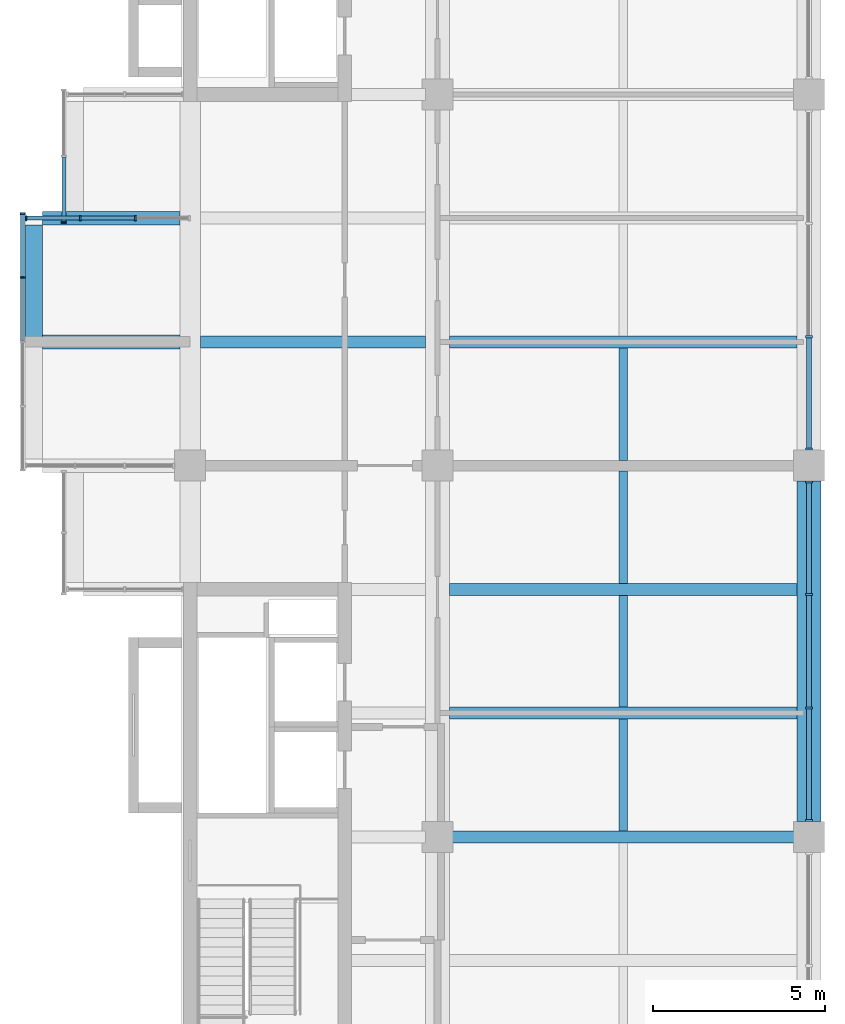
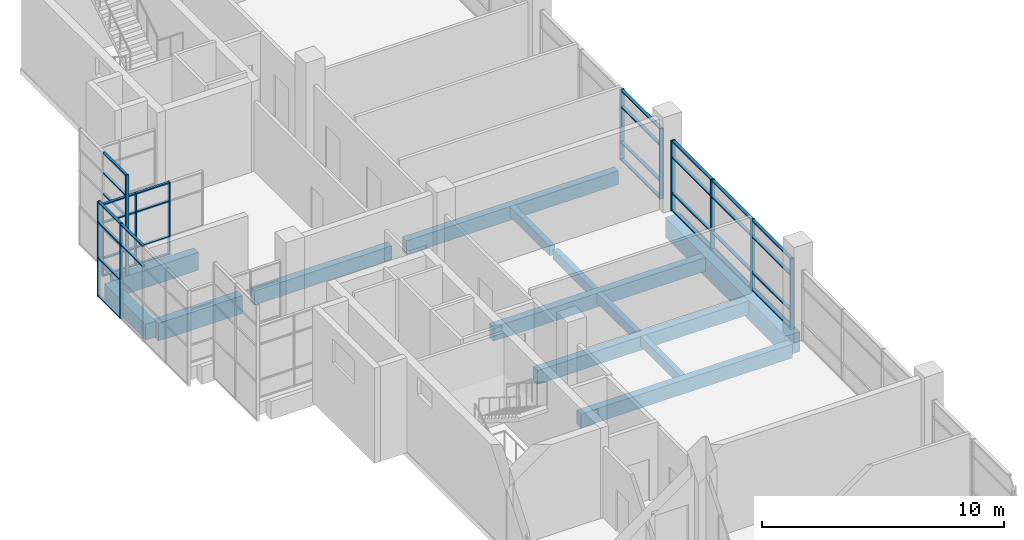
# One storey, part 6 of 15: 47 members, 13 beams, 5 elements without a shape of their own.
"""IFC4 building model written with IfcOpenShell, lengths in metres."""

import ifcopenshell
import ifcopenshell.guid

model = None  # the IFC model being written
_history = None  # IfcOwnerHistory: only IFC2X3 demands one
_inside = {}  # id of a spatial element -> (the spatial element, [elements in it])
_under = {}  # id of a project, library or spatial element -> (it, [spatial elements below it])
_declared = {}  # id of a project -> (the project, [libraries it declares])
_typed = {}  # id of a type object -> (the type object, [elements of that type])
_made_of = {}  # id of a material, layer set ... -> (it, [elements and type objects made of it])


def new_model(schema):
    """Start an empty IFC model of exactly this schema.

    Asked for "IFC4X3", IfcOpenShell would pick the latest addendum, in which some entities
    have other attributes; the version numbers below select the first issue.
    IFC2X3 requires an IfcOwnerHistory on every rooted entity: one is made here for all.
    """
    global model, _history
    if schema == "IFC4X3":
        model = ifcopenshell.file(schema_version=(4, 3, 0, 0))
    else:
        model = ifcopenshell.file(schema=schema)
    _inside.clear()
    _under.clear()
    _declared.clear()
    _typed.clear()
    _made_of.clear()
    _history = None
    if model.schema == "IFC2X3":
        org = make("IfcOrganization", Name="unknown")
        user = make(
            "IfcPersonAndOrganization",
            ThePerson=make("IfcPerson", FamilyName="unknown"),
            TheOrganization=org,
        )
        app = make(
            "IfcApplication",
            ApplicationDeveloper=org,
            Version="unknown",
            ApplicationFullName="unknown",
            ApplicationIdentifier="unknown",
        )
        _history = make(
            "IfcOwnerHistory",
            OwningUser=user,
            OwningApplication=app,
            ChangeAction="ADDED",
            CreationDate=0,
        )
    return model


def make(cls, **values):
    """One entity of the class cls with the attributes given. An attribute that is None is left unset."""
    return model.create_entity(
        cls, **{name: value for name, value in values.items() if value is not None}
    )


def rooted(cls, **values):
    """An entity with a GlobalId (a new one), such as an element, a storey or a relation."""
    return make(cls, GlobalId=ifcopenshell.guid.new(), OwnerHistory=_history, **values)


def si_unit(unit_type, name, prefix=None):
    """IfcSIUnit, for example si_unit("LENGTHUNIT", "METRE", prefix="MILLI")."""
    return make("IfcSIUnit", UnitType=unit_type, Prefix=prefix, Name=name)


def assignment(units):
    """IfcUnitAssignment: the units of a project."""
    return None if units is None else make("IfcUnitAssignment", Units=units)


def point(xyz):
    """IfcCartesianPoint."""
    return None if xyz is None else make("IfcCartesianPoint", Coordinates=xyz)


def direction(xyz):
    """IfcDirection."""
    return None if xyz is None else make("IfcDirection", DirectionRatios=xyz)


def frame(location, z_axis=None, x_axis=None):
    """IfcAxis2Placement3D, a coordinate frame: its origin and axes. An axis left out is left unset."""
    return make(
        "IfcAxis2Placement3D",
        Location=point(location),
        Axis=direction(z_axis),
        RefDirection=direction(x_axis),
    )


def frame_2d(location, x_axis=None):
    """IfcAxis2Placement2D, a coordinate frame in the plane: its origin and x axis."""
    return make(
        "IfcAxis2Placement2D", Location=point(location), RefDirection=direction(x_axis)
    )


def origin():
    """The frame at (0, 0, 0) with its axes left unset."""
    return frame((0.0, 0.0, 0.0))


def origin_2d():
    """The frame at (0, 0) in the plane with its x axis left unset."""
    return frame_2d((0.0, 0.0))


def place(relative_to, where):
    """IfcLocalPlacement: puts the frame where relative to a parent placement (None: the world)."""
    return make(
        "IfcLocalPlacement", PlacementRelTo=relative_to, RelativePlacement=where
    )


def context(
    kind, dimensions, precision=None, world=None, true_north=None, identifier=None
):
    """IfcGeometricRepresentationContext, for example the 3D "Model" context."""
    return make(
        "IfcGeometricRepresentationContext",
        ContextIdentifier=identifier,
        ContextType=kind,
        CoordinateSpaceDimension=dimensions,
        Precision=precision,
        WorldCoordinateSystem=world,
        TrueNorth=true_north,
    )


def subcontext(parent, identifier, kind, view, scale=None):
    """IfcGeometricRepresentationSubContext, for example "Body" below "Model"."""
    return make(
        "IfcGeometricRepresentationSubContext",
        ContextIdentifier=identifier,
        ContextType=kind,
        ParentContext=parent,
        TargetScale=scale,
        TargetView=view,
    )


def project(units=None, contexts=None):
    """IfcProject with its units and contexts."""
    return rooted(
        "IfcProject",
        Name="project",
        RepresentationContexts=contexts,
        UnitsInContext=assignment(units),
    )


def spatial(cls, under=None, at=None, **own):
    """A site, building, storey or space (cls), placed at a placement, below another one or the project."""
    s = rooted(cls, ObjectPlacement=at, **own)
    if under is not None:
        _under.setdefault(under.id(), (under, []))[1].append(s)
    return s


def profile(cls, at=None, kind="AREA", **sizes):
    """A parametric profile (cls). Its sizes go by their IFC names, for example OverallWidth=200.0."""
    return make(cls, ProfileType=kind, Position=at, **sizes)


def rectangle(**sizes):
    """IfcRectangleProfileDef."""
    return profile("IfcRectangleProfileDef", **sizes)


def extrude(swept, where, along, depth):
    """IfcExtrudedAreaSolid: the profile swept, set in the frame where, extruded along a direction by depth."""
    return make(
        "IfcExtrudedAreaSolid",
        SweptArea=swept,
        Position=where,
        ExtrudedDirection=direction(along),
        Depth=depth,
    )


def shape(context_of_items, identifier, shape_type, items):
    """IfcShapeRepresentation: the items that make up one representation, for example the "Body"."""
    return make(
        "IfcShapeRepresentation",
        ContextOfItems=context_of_items,
        RepresentationIdentifier=identifier,
        RepresentationType=shape_type,
        Items=items,
    )


def material(Name=None, Category=None):
    """IfcMaterial."""
    return make("IfcMaterial", Name=Name, Category=Category)


def layer(
    of_material, thickness, ventilated=None, Name=None, Category=None, Priority=None
):
    """IfcMaterialLayer: one layer of a wall or slab, of a material (None: an air gap)."""
    return make(
        "IfcMaterialLayer",
        Material=of_material,
        LayerThickness=thickness,
        IsVentilated=ventilated,
        Name=Name,
        Category=Category,
        Priority=Priority,
    )


def layer_set(layers, Name=None):
    """IfcMaterialLayerSet."""
    return make("IfcMaterialLayerSet", MaterialLayers=layers, LayerSetName=Name)


def material_profile(
    of_material, cross_section, Name=None, Category=None, Priority=None
):
    """IfcMaterialProfile: a cross section and its material."""
    return make(
        "IfcMaterialProfile",
        Name=Name,
        Material=of_material,
        Profile=cross_section,
        Priority=Priority,
        Category=Category,
    )


def profile_set(profiles, Name=None, composite=None):
    """IfcMaterialProfileSet."""
    return make(
        "IfcMaterialProfileSet",
        Name=Name,
        MaterialProfiles=profiles,
        CompositeProfile=composite,
    )


def made_of(thing, what):
    """Note that an element or type object is made of a material, layer set ...; save() writes the relation."""
    if what is not None:
        _made_of.setdefault(what.id(), (what, []))[1].append(thing)
    return thing


def type_object(cls, material=None, **own):
    """A type object (cls), such as IfcWallType, which elements share."""
    return made_of(rooted(cls, **own), material)


def element(
    cls,
    number,
    at=None,
    inside=None,
    cuts=None,
    type_object=None,
    material=None,
    context=None,
    identifier="Body",
    shape_type=None,
    held_by="IfcProductDefinitionShape",
    body=None,
    shapes=None,
    **own,
):
    """One element of the class cls, such as IfcWall. Its Tag is "e" and its number.

    at: its placement. inside: the storey or other place that contains it. cuts: it is an
    opening in that element (IfcRelVoidsElement). A single representation is given by context,
    identifier, shape_type and body (its items); several are given by shapes. held_by: the class
    of the entity that holds the representations. save() writes the other relations.
    """
    e = rooted(cls, Tag="e%d" % number, ObjectPlacement=at, **own)
    if body is not None:
        shapes = [shape(context, identifier, shape_type, body)]
    if shapes is not None:
        e.Representation = make(held_by, Representations=shapes)
    if inside is not None:
        _inside.setdefault(inside.id(), (inside, []))[1].append(e)
    if cuts is not None:
        rooted(
            "IfcRelVoidsElement", RelatingBuildingElement=cuts, RelatedOpeningElement=e
        )
    if type_object is not None:
        _typed.setdefault(type_object.id(), (type_object, []))[1].append(e)
    return made_of(e, material)


def aggregate(whole, parts):
    """IfcRelAggregates: a whole, such as a stair, and the parts it consists of."""
    return rooted("IfcRelAggregates", RelatingObject=whole, RelatedObjects=parts)


def save(model, path):
    """Write the relations noted so far, then the file.

    IfcRelAggregates (storeys below a building ...), IfcRelContainedInSpatialStructure (elements
    in a storey), IfcRelDefinesByType, IfcRelAssociatesMaterial and IfcRelDeclares: one each for
    every whole, place, type object, material and project.
    """
    for whole, parts in _under.values():
        aggregate(whole, parts)
    for where, things in _inside.values():
        rooted(
            "IfcRelContainedInSpatialStructure",
            RelatedElements=things,
            RelatingStructure=where,
        )
    for kind, things in _typed.values():
        rooted("IfcRelDefinesByType", RelatedObjects=things, RelatingType=kind)
    for what, things in _made_of.values():
        rooted("IfcRelAssociatesMaterial", RelatedObjects=things, RelatingMaterial=what)
    for by, libraries in _declared.values():
        rooted("IfcRelDeclares", RelatingContext=by, RelatedDefinitions=libraries)
    model.write(path)


model = new_model("IFC4")

# Units and contexts
model_context = context("Model", 3, precision=1e-05, world=origin(), true_north=direction((0.0, 1.0)))
body_context = subcontext(model_context, "Body", "Model", "MODEL_VIEW")
ifc_project = project(units=[si_unit("LENGTHUNIT", "METRE"), si_unit("AREAUNIT", "SQUARE_METRE"), si_unit("VOLUMEUNIT", "CUBIC_METRE"), si_unit("PLANEANGLEUNIT", "RADIAN"), si_unit("MASSUNIT", "GRAM", prefix="KILO")], contexts=[model_context])

# Site, building, storey
site_placement = place(None, origin())
site = spatial("IfcSite", under=ifc_project, at=site_placement, CompositionType="ELEMENT")
building_placement = place(site_placement, origin())
building = spatial("IfcBuilding", under=site, at=building_placement, Name="Basin Gate Institute", CompositionType="ELEMENT")
storey_placement = place(building_placement, frame((0.0, 0.0, 55.800048828125)))
storey = spatial("IfcBuildingStorey", under=building, at=storey_placement, Name="L11", CompositionType="ELEMENT", Elevation=55.800048828125)

# Beams
ifc_material_1 = material(Name="Concrete 40 MPa", Category="concrete")
ifc_material_profile_1 = material_profile(ifc_material_1, rectangle(XDim=0.35009765625, YDim=0.699951171875, at=origin_2d()), Name="Beam B1 350 x 700")
ifc_profile_set_1 = profile_set([ifc_material_profile_1], Name="Concrete 40 MPa")
beam_type_1 = type_object("IfcBeamType", Name="Beam B1 R120", PredefinedType="BEAM", material=ifc_profile_set_1)
for number, where, z_axis, x_axis, name in (
    (1, (68.75, 67.5, -0.60009765625), (1.0, 0.0, 0.0), (0.0, 1.0, 0.0), "BEAM/L11/W/EW/10"),
    (2, (68.75, 71.10009765625, -0.60009765625), (1.0, 0.0, 0.0), (0.0, 1.0, 0.0), "BEAM/L11/W/EW/11"),
    (3, (68.75, 74.699951171875, -0.60009765625), (1.0, 0.0, 0.0), (0.0, 1.0, 0.0), "BEAM/L11/W/EW/12"),
    (4, (68.75, 81.89990234375, -0.60009765625), (1.0, 0.0, 0.0), (0.0, 1.0, 0.0), "BEAM/L11/W/EW/14"),
):
    element("IfcBeam", number, at=place(storey_placement, frame(where, z_axis=z_axis, x_axis=x_axis)), inside=storey, type_object=beam_type_1, material=ifc_profile_set_1, Name=name, PredefinedType="BEAM", context=body_context, shape_type="SweptSolid", body=[
        extrude(rectangle(XDim=0.35009765625, YDim=0.699951171875, at=origin_2d()), origin(), (0.0, 0.0, 1.0), 10.10009765625),
    ])
beam_1_placement = place(storey_placement, frame((61.5, 81.89990234375, -0.60009765625), z_axis=(1.0, 0.0, 0.0), x_axis=(0.0, 1.0, 0.0)))
element("IfcBeam", 5, at=beam_1_placement, inside=storey, type_object=beam_type_1, material=ifc_profile_set_1, Name="BEAM/L11/W/OUT/14", PredefinedType="BEAM", context=body_context, shape_type="SweptSolid", body=[
    extrude(rectangle(XDim=0.35009765625, YDim=0.699951171875, at=origin_2d()), origin(), (0.0, 0.0, 1.0), 6.550048828125),
])
ifc_material_2 = material(Name="Concrete 50 MPa", Category="concrete")
ifc_material_profile_2 = material_profile(ifc_material_2, rectangle(XDim=0.39990234375, YDim=0.89990234375, at=origin_2d()), Name="Cantilever beam B3 400 x 900")
ifc_profile_set_2 = profile_set([ifc_material_profile_2], Name="Concrete 50 MPa")
beam_type_2 = type_object("IfcBeamType", Name="Cantilever beam B3 R120", PredefinedType="BEAM", material=ifc_profile_set_2)
for number, where, z_axis, x_axis, name in (
    (6, (56.89990234375, 81.89990234375, -0.699951171875), (1.0, 0.0, 0.0), (0.0, 1.0, 0.0), "BEAM/L11/W/CANT/14"),
    (7, (56.89990234375, 85.5, -0.699951171875), (1.0, 0.0, 0.0), (0.0, 1.0, 0.0), "BEAM/L11/W/CANT/15"),
):
    element("IfcBeam", number, at=place(storey_placement, frame(where, z_axis=z_axis, x_axis=x_axis)), inside=storey, type_object=beam_type_2, material=ifc_profile_set_2, Name=name, PredefinedType="BEAM", context=body_context, shape_type="SweptSolid", body=[
        extrude(rectangle(XDim=0.39990234375, YDim=0.89990234375, at=origin_2d()), origin(), (0.0, 0.0, 1.0), 4.0),
    ])
ifc_material_3 = material(Name="Concrete 50 MPa", Category="concrete")
ifc_material_profile_3 = material_profile(ifc_material_3, rectangle(XDim=0.699951171875, YDim=1.0, at=origin_2d()), Name="Girder G1 700 x 1000")
ifc_profile_set_3 = profile_set([ifc_material_profile_3], Name="Concrete 50 MPa")
beam_type_3 = type_object("IfcBeamType", Name="Girder G1 R120", PredefinedType="BEAM", material=ifc_profile_set_3)
beam_2_placement = place(storey_placement, frame((79.199951171875, 67.949951171875, -0.75), z_axis=(0.0, 1.0, 0.0), x_axis=(-1.0, 0.0, 0.0)))
element("IfcBeam", 8, at=beam_2_placement, inside=storey, type_object=beam_type_3, material=ifc_profile_set_3, Name="GIR/L11/W6/4", PredefinedType="BEAM", context=body_context, shape_type="SweptSolid", body=[
    extrude(rectangle(XDim=0.699951171875, YDim=1.0, at=origin_2d()), origin(), (0.0, 0.0, 1.0), 9.900146484375),
])

# Curtain wall, members
ifc_material_4 = material(Name="Aluminium-framed glazing", Category="aluminium")
ifc_layer_1 = layer(ifc_material_4, 0.14990234375)
ifc_layer_set_1 = layer_set([ifc_layer_1], Name="Capsule front curtain wall CW1")
curtain_wall_type_1 = type_object("IfcCurtainWallType", Name="Capsule front curtain wall CW1", PredefinedType="NOTDEFINED", material=ifc_layer_set_1)
curtain_wall_1_placement = place(storey_placement, origin())
curtain_wall_1 = element("IfcCurtainWall", 9, at=curtain_wall_1_placement, inside=storey, type_object=curtain_wall_type_1, material=ifc_layer_set_1, Name="Capsule front curtain wall W wing capsule end L11 line 15", PredefinedType="NOTDEFINED")
ifc_material_5 = material(Name="Aluminium", Category="aluminium")
ifc_material_profile_4 = material_profile(ifc_material_5, rectangle(XDim=0.14990234375, YDim=0.050048828125, at=origin_2d()), Name="Mullion MU1 150 x 50")
ifc_profile_set_4 = profile_set([ifc_material_profile_4], Name="Aluminium")
member_type_1 = type_object("IfcMemberType", Name="Mullion MU1", PredefinedType="MULLION", material=ifc_profile_set_4)
member_1_placement = place(storey_placement, frame((56.425048828125, 85.5, 0.0), z_axis=(0.0, 0.0, 1.0), x_axis=(0.0, 1.0, 0.0)))
member_1 = element("IfcMember", 10, at=member_1_placement, type_object=member_type_1, material=ifc_profile_set_4, Name="CW1 mullion 1", PredefinedType="MULLION", context=body_context, shape_type="SweptSolid", body=[
    extrude(rectangle(XDim=0.14990234375, YDim=0.050048828125, at=origin_2d()), origin(), (0.0, 0.0, 1.0), 3.64990234375),
])
member_2_placement = place(storey_placement, frame((58.0, 85.5, 0.0), z_axis=(0.0, 0.0, 1.0), x_axis=(0.0, 1.0, 0.0)))
member_2 = element("IfcMember", 11, at=member_2_placement, type_object=member_type_1, material=ifc_profile_set_4, Name="CW1 mullion 2", PredefinedType="MULLION", context=body_context, shape_type="SweptSolid", body=[
    extrude(rectangle(XDim=0.14990234375, YDim=0.050048828125, at=origin_2d()), origin(), (0.0, 0.0, 1.0), 3.64990234375),
])
member_3_placement = place(storey_placement, frame((59.60009765625, 85.5, 0.0), z_axis=(0.0, 0.0, 1.0), x_axis=(0.0, 1.0, 0.0)))
member_3 = element("IfcMember", 12, at=member_3_placement, type_object=member_type_1, material=ifc_profile_set_4, Name="CW1 mullion 3", PredefinedType="MULLION", context=body_context, shape_type="SweptSolid", body=[
    extrude(rectangle(XDim=0.14990234375, YDim=0.050048828125, at=origin_2d()), origin(), (0.0, 0.0, 1.0), 3.64990234375),
])

curtain_wall_2_placement = place(storey_placement, origin())
curtain_wall_2 = element("IfcCurtainWall", 13, at=curtain_wall_2_placement, inside=storey, type_object=curtain_wall_type_1, material=ifc_layer_set_1, Name="Capsule front curtain wall W wing capsule 2 L11 front 2", PredefinedType="NOTDEFINED")
member_4_placement = place(storey_placement, frame((56.324951171875, 83.77490234375, -1.050048828125), z_axis=(0.0, 0.0, 1.0), x_axis=(-1.0, 0.0, 0.0)))
member_4 = element("IfcMember", 14, at=member_4_placement, type_object=member_type_1, material=ifc_profile_set_4, Name="CW1 mullion 4", PredefinedType="MULLION", context=body_context, shape_type="SweptSolid", body=[
    extrude(rectangle(XDim=0.14990234375, YDim=0.050048828125, at=origin_2d()), origin(), (0.0, 0.0, 1.0), 4.800048828125),
])
member_5_placement = place(storey_placement, frame((56.324951171875, 85.625, -1.050048828125), z_axis=(0.0, 0.0, 1.0), x_axis=(-1.0, 0.0, 0.0)))
member_5 = element("IfcMember", 15, at=member_5_placement, type_object=member_type_1, material=ifc_profile_set_4, Name="CW1 mullion 5", PredefinedType="MULLION", context=body_context, shape_type="SweptSolid", body=[
    extrude(rectangle(XDim=0.14990234375, YDim=0.050048828125, at=origin_2d()), origin(), (0.0, 0.0, 1.0), 4.800048828125),
])

# Curtain wall, member
curtain_wall_3_placement = place(storey_placement, origin())
curtain_wall_3 = element("IfcCurtainWall", 16, at=curtain_wall_3_placement, inside=storey, type_object=curtain_wall_type_1, material=ifc_layer_set_1, Name="Capsule front curtain wall W wing capsule 2 L11 front 4", PredefinedType="NOTDEFINED")
member_6_placement = place(storey_placement, frame((57.52490234375, 85.375, -1.050048828125), z_axis=(0.0, 0.0, 1.0), x_axis=(-1.0, 0.0, 0.0)))
member_6 = element("IfcMember", 17, at=member_6_placement, type_object=member_type_1, material=ifc_profile_set_4, Name="CW1 mullion 1", PredefinedType="MULLION", context=body_context, shape_type="SweptSolid", body=[
    extrude(rectangle(XDim=0.14990234375, YDim=0.050048828125, at=origin_2d()), origin(), (0.0, 0.0, 1.0), 5.85009765625),
])

# Curtain wall, members
ifc_material_6 = material(Name="Aluminium-framed glazing", Category="aluminium")
ifc_layer_2 = layer(ifc_material_6, 0.199951171875)
ifc_layer_set_2 = layer_set([ifc_layer_2], Name="Atrium curtain wall CW2")
curtain_wall_type_2 = type_object("IfcCurtainWallType", Name="Atrium curtain wall CW2", PredefinedType="NOTDEFINED", material=ifc_layer_set_2)
curtain_wall_4_placement = place(storey_placement, origin())
curtain_wall_4 = element("IfcCurtainWall", 18, at=curtain_wall_4_placement, inside=storey, type_object=curtain_wall_type_2, material=ifc_layer_set_2, Name="Atrium curtain wall W wing atrium bay 4 L11", PredefinedType="NOTDEFINED")
ifc_material_7 = material(Name="Aluminium", Category="aluminium")
ifc_material_profile_5 = material_profile(ifc_material_7, rectangle(XDim=0.199951171875, YDim=0.06005859375, at=origin_2d()), Name="Mullion MU2 200 x 60")
ifc_profile_set_5 = profile_set([ifc_material_profile_5], Name="Aluminium")
member_type_2 = type_object("IfcMemberType", Name="Mullion MU2", PredefinedType="MULLION", material=ifc_profile_set_5)
member_7_placement = place(storey_placement, frame((79.199951171875, 67.97998046875, 0.0), z_axis=(0.0, 0.0, 1.0), x_axis=(-1.0, 0.0, 0.0)))
member_7 = element("IfcMember", 19, at=member_7_placement, type_object=member_type_2, material=ifc_profile_set_5, Name="CW2 mullion 1", PredefinedType="MULLION", context=body_context, shape_type="SweptSolid", body=[
    extrude(rectangle(XDim=0.199951171875, YDim=0.06005859375, at=origin_2d()), origin(), (0.0, 0.0, 1.0), 3.550048828125),
])
member_8_placement = place(storey_placement, frame((79.199951171875, 71.25, 0.0), z_axis=(0.0, 0.0, 1.0), x_axis=(-1.0, 0.0, 0.0)))
member_8 = element("IfcMember", 20, at=member_8_placement, type_object=member_type_2, material=ifc_profile_set_5, Name="CW2 mullion 2", PredefinedType="MULLION", context=body_context, shape_type="SweptSolid", body=[
    extrude(rectangle(XDim=0.199951171875, YDim=0.06005859375, at=origin_2d()), origin(), (0.0, 0.0, 1.0), 3.550048828125),
])
member_9_placement = place(storey_placement, frame((79.199951171875, 74.550048828125, 0.0), z_axis=(0.0, 0.0, 1.0), x_axis=(-1.0, 0.0, 0.0)))
member_9 = element("IfcMember", 21, at=member_9_placement, type_object=member_type_2, material=ifc_profile_set_5, Name="CW2 mullion 3", PredefinedType="MULLION", context=body_context, shape_type="SweptSolid", body=[
    extrude(rectangle(XDim=0.199951171875, YDim=0.06005859375, at=origin_2d()), origin(), (0.0, 0.0, 1.0), 3.550048828125),
])
member_10_placement = place(storey_placement, frame((79.199951171875, 77.820068359375, 0.0), z_axis=(0.0, 0.0, 1.0), x_axis=(-1.0, 0.0, 0.0)))
member_10 = element("IfcMember", 22, at=member_10_placement, type_object=member_type_2, material=ifc_profile_set_5, Name="CW2 mullion 4", PredefinedType="MULLION", context=body_context, shape_type="SweptSolid", body=[
    extrude(rectangle(XDim=0.199951171875, YDim=0.06005859375, at=origin_2d()), origin(), (0.0, 0.0, 1.0), 3.550048828125),
])

curtain_wall_5_placement = place(storey_placement, origin())
curtain_wall_5 = element("IfcCurtainWall", 23, at=curtain_wall_5_placement, inside=storey, type_object=curtain_wall_type_2, material=ifc_layer_set_2, Name="Atrium curtain wall W wing atrium bay 5 L11", PredefinedType="NOTDEFINED")
member_11_placement = place(storey_placement, frame((79.199951171875, 78.780029296875, 0.0), z_axis=(0.0, 0.0, 1.0), x_axis=(-1.0, 0.0, 0.0)))
member_11 = element("IfcMember", 24, at=member_11_placement, type_object=member_type_2, material=ifc_profile_set_5, Name="CW2 mullion 1", PredefinedType="MULLION", context=body_context, shape_type="SweptSolid", body=[
    extrude(rectangle(XDim=0.199951171875, YDim=0.06005859375, at=origin_2d()), origin(), (0.0, 0.0, 1.0), 3.550048828125),
])
member_12_placement = place(storey_placement, frame((79.199951171875, 82.050048828125, 0.0), z_axis=(0.0, 0.0, 1.0), x_axis=(-1.0, 0.0, 0.0)))
member_12 = element("IfcMember", 25, at=member_12_placement, type_object=member_type_2, material=ifc_profile_set_5, Name="CW2 mullion 2", PredefinedType="MULLION", context=body_context, shape_type="SweptSolid", body=[
    extrude(rectangle(XDim=0.199951171875, YDim=0.06005859375, at=origin_2d()), origin(), (0.0, 0.0, 1.0), 3.550048828125),
])

# Beams
ifc_material_8 = material(Name="Concrete 40 MPa", Category="concrete")
ifc_material_profile_6 = material_profile(ifc_material_8, rectangle(XDim=0.25, YDim=0.5, at=origin_2d()), Name="Rib R1 250 x 500")
ifc_profile_set_6 = profile_set([ifc_material_profile_6], Name="Concrete 40 MPa")
beam_type_4 = type_object("IfcBeamType", Name="Rib R1 R120", PredefinedType="JOIST", material=ifc_profile_set_6)
for number, where, z_axis, x_axis, name in (
    (26, (73.800048828125, 67.675048828125, -0.5), (0.0, 1.0, 0.0), (-1.0, 0.0, 0.0), "BEAM/L11/W/RIB/10"),
    (27, (73.800048828125, 71.27490234375, -0.5), (0.0, 1.0, 0.0), (-1.0, 0.0, 0.0), "BEAM/L11/W/RIB/11"),
):
    element("IfcBeam", number, at=place(storey_placement, frame(where, z_axis=z_axis, x_axis=x_axis)), inside=storey, type_object=beam_type_4, material=ifc_profile_set_6, Name=name, PredefinedType="JOIST", context=body_context, shape_type="SweptSolid", body=[
        extrude(rectangle(XDim=0.25, YDim=0.5, at=origin_2d()), origin(), (0.0, 0.0, 1.0), 3.25),
    ])
beam_3_placement = place(storey_placement, frame((73.800048828125, 74.875, -0.5), z_axis=(0.0, 1.0, 0.0), x_axis=(-1.0, 0.0, 0.0)))
element("IfcBeam", 28, at=beam_3_placement, inside=storey, type_object=beam_type_4, material=ifc_profile_set_6, Name="BEAM/L11/W/RIB/12", PredefinedType="JOIST", context=body_context, shape_type="SweptSolid", body=[
    extrude(rectangle(XDim=0.25, YDim=0.5, at=origin_2d()), origin(), (0.0, 0.0, 1.0), 3.27490234375),
])
beam_4_placement = place(storey_placement, frame((73.800048828125, 78.449951171875, -0.5), z_axis=(0.0, 1.0, 0.0), x_axis=(-1.0, 0.0, 0.0)))
element("IfcBeam", 29, at=beam_4_placement, inside=storey, type_object=beam_type_4, material=ifc_profile_set_6, Name="BEAM/L11/W/RIB/13", PredefinedType="JOIST", context=body_context, shape_type="SweptSolid", body=[
    extrude(rectangle(XDim=0.25, YDim=0.5, at=origin_2d()), origin(), (0.0, 0.0, 1.0), 3.275146484375),
])
ifc_material_9 = material(Name="Concrete 50 MPa", Category="concrete")
ifc_material_profile_7 = material_profile(ifc_material_9, rectangle(XDim=0.5, YDim=0.800048828125, at=origin_2d()), Name="Tip beam TB1 500 x 800")
ifc_profile_set_7 = profile_set([ifc_material_profile_7], Name="Concrete 50 MPa")
beam_type_5 = type_object("IfcBeamType", Name="Tip beam TB1 R120", PredefinedType="SPANDREL", material=ifc_profile_set_7)
beam_5_placement = place(storey_placement, frame((56.64990234375, 81.89990234375, -0.650146484375), z_axis=(0.0, 1.0, 0.0), x_axis=(-1.0, 0.0, 0.0)))
element("IfcBeam", 30, at=beam_5_placement, inside=storey, type_object=beam_type_5, material=ifc_profile_set_7, Name="BEAM/L11/W/TIP/7", PredefinedType="SPANDREL", context=body_context, shape_type="SweptSolid", body=[
    extrude(rectangle(XDim=0.5, YDim=0.800048828125, at=origin_2d()), origin(), (0.0, 0.0, 1.0), 3.400146484375),
])

# Member
ifc_material_10 = material(Name="Aluminium", Category="aluminium")
ifc_material_profile_8 = material_profile(ifc_material_10, rectangle(XDim=0.1201171875, YDim=0.06005859375, at=origin_2d()), Name="Transom TR1 120 x 60")
ifc_profile_set_8 = profile_set([ifc_material_profile_8], Name="Aluminium")
member_type_3 = type_object("IfcMemberType", Name="Transom TR1", PredefinedType="USERDEFINED", material=ifc_profile_set_8)
member_13_placement = place(storey_placement, frame((56.449951171875, 85.5, 0.030029296875), z_axis=(1.0, 0.0, 0.0), x_axis=(0.0, 1.0, 0.0)))
member_13 = element("IfcMember", 31, at=member_13_placement, type_object=member_type_3, material=ifc_profile_set_8, Name="CW1 transom 1.1", ObjectType="TRANSOM", PredefinedType="USERDEFINED", context=body_context, shape_type="SweptSolid", body=[
    extrude(rectangle(XDim=0.1201171875, YDim=0.06005859375, at=origin_2d()), origin(), (0.0, 0.0, 1.0), 1.525146484375),
])

member_14_placement = place(storey_placement, frame((56.449951171875, 85.5, 0.89990234375), z_axis=(1.0, 0.0, 0.0), x_axis=(0.0, 1.0, 0.0)))
member_14 = element("IfcMember", 32, at=member_14_placement, type_object=member_type_3, material=ifc_profile_set_8, Name="CW1 transom 1.2", ObjectType="TRANSOM", PredefinedType="USERDEFINED", context=body_context, shape_type="SweptSolid", body=[
    extrude(rectangle(XDim=0.1201171875, YDim=0.06005859375, at=origin_2d()), origin(), (0.0, 0.0, 1.0), 1.525146484375),
])

member_15_placement = place(storey_placement, frame((56.449951171875, 85.5, 2.699951171875), z_axis=(1.0, 0.0, 0.0), x_axis=(0.0, 1.0, 0.0)))
member_15 = element("IfcMember", 33, at=member_15_placement, type_object=member_type_3, material=ifc_profile_set_8, Name="CW1 transom 1.3", ObjectType="TRANSOM", PredefinedType="USERDEFINED", context=body_context, shape_type="SweptSolid", body=[
    extrude(rectangle(XDim=0.1201171875, YDim=0.06005859375, at=origin_2d()), origin(), (0.0, 0.0, 1.0), 1.525146484375),
])

member_16_placement = place(storey_placement, frame((56.449951171875, 85.5, 3.619873046875), z_axis=(1.0, 0.0, 0.0), x_axis=(0.0, 1.0, 0.0)))
member_16 = element("IfcMember", 34, at=member_16_placement, type_object=member_type_3, material=ifc_profile_set_8, Name="CW1 transom 1.4", ObjectType="TRANSOM", PredefinedType="USERDEFINED", context=body_context, shape_type="SweptSolid", body=[
    extrude(rectangle(XDim=0.1201171875, YDim=0.06005859375, at=origin_2d()), origin(), (0.0, 0.0, 1.0), 1.525146484375),
])

member_17_placement = place(storey_placement, frame((58.02490234375, 85.5, 0.030029296875), z_axis=(1.0, 0.0, 0.0), x_axis=(0.0, 1.0, 0.0)))
member_17 = element("IfcMember", 35, at=member_17_placement, type_object=member_type_3, material=ifc_profile_set_8, Name="CW1 transom 2.1", ObjectType="TRANSOM", PredefinedType="USERDEFINED", context=body_context, shape_type="SweptSolid", body=[
    extrude(rectangle(XDim=0.1201171875, YDim=0.06005859375, at=origin_2d()), origin(), (0.0, 0.0, 1.0), 1.550048828125),
])

member_18_placement = place(storey_placement, frame((58.02490234375, 85.5, 0.89990234375), z_axis=(1.0, 0.0, 0.0), x_axis=(0.0, 1.0, 0.0)))
member_18 = element("IfcMember", 36, at=member_18_placement, type_object=member_type_3, material=ifc_profile_set_8, Name="CW1 transom 2.2", ObjectType="TRANSOM", PredefinedType="USERDEFINED", context=body_context, shape_type="SweptSolid", body=[
    extrude(rectangle(XDim=0.1201171875, YDim=0.06005859375, at=origin_2d()), origin(), (0.0, 0.0, 1.0), 1.550048828125),
])

member_19_placement = place(storey_placement, frame((58.02490234375, 85.5, 2.699951171875), z_axis=(1.0, 0.0, 0.0), x_axis=(0.0, 1.0, 0.0)))
member_19 = element("IfcMember", 37, at=member_19_placement, type_object=member_type_3, material=ifc_profile_set_8, Name="CW1 transom 2.3", ObjectType="TRANSOM", PredefinedType="USERDEFINED", context=body_context, shape_type="SweptSolid", body=[
    extrude(rectangle(XDim=0.1201171875, YDim=0.06005859375, at=origin_2d()), origin(), (0.0, 0.0, 1.0), 1.550048828125),
])

member_20_placement = place(storey_placement, frame((58.02490234375, 85.5, 3.619873046875), z_axis=(1.0, 0.0, 0.0), x_axis=(0.0, 1.0, 0.0)))
member_20 = element("IfcMember", 38, at=member_20_placement, type_object=member_type_3, material=ifc_profile_set_8, Name="CW1 transom 2.4", ObjectType="TRANSOM", PredefinedType="USERDEFINED", context=body_context, shape_type="SweptSolid", body=[
    extrude(rectangle(XDim=0.1201171875, YDim=0.06005859375, at=origin_2d()), origin(), (0.0, 0.0, 1.0), 1.550048828125),
])

aggregate(curtain_wall_1, [member_1, member_2, member_3, member_13, member_14, member_15, member_16, member_17, member_18, member_19, member_20])

member_21_placement = place(storey_placement, frame((56.324951171875, 81.925048828125, 2.699951171875), z_axis=(0.0, 1.0, 0.0), x_axis=(-1.0, 0.0, 0.0)))
member_21 = element("IfcMember", 39, at=member_21_placement, type_object=member_type_3, material=ifc_profile_set_8, Name="CW1 transom 3.3", ObjectType="TRANSOM", PredefinedType="USERDEFINED", context=body_context, shape_type="SweptSolid", body=[
    extrude(rectangle(XDim=0.1201171875, YDim=0.06005859375, at=origin_2d()), origin(), (0.0, 0.0, 1.0), 1.824951171875),
])

member_22_placement = place(storey_placement, frame((56.324951171875, 81.925048828125, 3.719970703125), z_axis=(0.0, 1.0, 0.0), x_axis=(-1.0, 0.0, 0.0)))
member_22 = element("IfcMember", 40, at=member_22_placement, type_object=member_type_3, material=ifc_profile_set_8, Name="CW1 transom 3.4", ObjectType="TRANSOM", PredefinedType="USERDEFINED", context=body_context, shape_type="SweptSolid", body=[
    extrude(rectangle(XDim=0.1201171875, YDim=0.06005859375, at=origin_2d()), origin(), (0.0, 0.0, 1.0), 1.824951171875),
])

member_23_placement = place(storey_placement, frame((56.324951171875, 83.800048828125, -1.02001953125), z_axis=(0.0, 1.0, 0.0), x_axis=(-1.0, 0.0, 0.0)))
member_23 = element("IfcMember", 41, at=member_23_placement, type_object=member_type_3, material=ifc_profile_set_8, Name="CW1 transom 4.1", ObjectType="TRANSOM", PredefinedType="USERDEFINED", context=body_context, shape_type="SweptSolid", body=[
    extrude(rectangle(XDim=0.1201171875, YDim=0.06005859375, at=origin_2d()), origin(), (0.0, 0.0, 1.0), 1.800048828125),
])

member_24_placement = place(storey_placement, frame((56.324951171875, 83.800048828125, 0.89990234375), z_axis=(0.0, 1.0, 0.0), x_axis=(-1.0, 0.0, 0.0)))
member_24 = element("IfcMember", 42, at=member_24_placement, type_object=member_type_3, material=ifc_profile_set_8, Name="CW1 transom 4.2", ObjectType="TRANSOM", PredefinedType="USERDEFINED", context=body_context, shape_type="SweptSolid", body=[
    extrude(rectangle(XDim=0.1201171875, YDim=0.06005859375, at=origin_2d()), origin(), (0.0, 0.0, 1.0), 1.800048828125),
])

member_25_placement = place(storey_placement, frame((56.324951171875, 83.800048828125, 2.699951171875), z_axis=(0.0, 1.0, 0.0), x_axis=(-1.0, 0.0, 0.0)))
member_25 = element("IfcMember", 43, at=member_25_placement, type_object=member_type_3, material=ifc_profile_set_8, Name="CW1 transom 4.3", ObjectType="TRANSOM", PredefinedType="USERDEFINED", context=body_context, shape_type="SweptSolid", body=[
    extrude(rectangle(XDim=0.1201171875, YDim=0.06005859375, at=origin_2d()), origin(), (0.0, 0.0, 1.0), 1.800048828125),
])

member_26_placement = place(storey_placement, frame((56.324951171875, 83.800048828125, 3.719970703125), z_axis=(0.0, 1.0, 0.0), x_axis=(-1.0, 0.0, 0.0)))
member_26 = element("IfcMember", 44, at=member_26_placement, type_object=member_type_3, material=ifc_profile_set_8, Name="CW1 transom 4.4", ObjectType="TRANSOM", PredefinedType="USERDEFINED", context=body_context, shape_type="SweptSolid", body=[
    extrude(rectangle(XDim=0.1201171875, YDim=0.06005859375, at=origin_2d()), origin(), (0.0, 0.0, 1.0), 1.800048828125),
])

aggregate(curtain_wall_2, [member_4, member_5, member_21, member_22, member_23, member_24, member_25, member_26])

member_27_placement = place(storey_placement, frame((57.52490234375, 85.39990234375, -1.02001953125), z_axis=(0.0, 1.0, 0.0), x_axis=(-1.0, 0.0, 0.0)))
member_27 = element("IfcMember", 45, at=member_27_placement, type_object=member_type_3, material=ifc_profile_set_8, Name="CW1 transom 1.1", ObjectType="TRANSOM", PredefinedType="USERDEFINED", context=body_context, shape_type="SweptSolid", body=[
    extrude(rectangle(XDim=0.1201171875, YDim=0.06005859375, at=origin_2d()), origin(), (0.0, 0.0, 1.0), 1.875),
])

member_28_placement = place(storey_placement, frame((57.52490234375, 85.39990234375, 0.89990234375), z_axis=(0.0, 1.0, 0.0), x_axis=(-1.0, 0.0, 0.0)))
member_28 = element("IfcMember", 46, at=member_28_placement, type_object=member_type_3, material=ifc_profile_set_8, Name="CW1 transom 1.2", ObjectType="TRANSOM", PredefinedType="USERDEFINED", context=body_context, shape_type="SweptSolid", body=[
    extrude(rectangle(XDim=0.1201171875, YDim=0.06005859375, at=origin_2d()), origin(), (0.0, 0.0, 1.0), 1.875),
])

member_29_placement = place(storey_placement, frame((57.52490234375, 85.39990234375, 2.699951171875), z_axis=(0.0, 1.0, 0.0), x_axis=(-1.0, 0.0, 0.0)))
member_29 = element("IfcMember", 47, at=member_29_placement, type_object=member_type_3, material=ifc_profile_set_8, Name="CW1 transom 1.3", ObjectType="TRANSOM", PredefinedType="USERDEFINED", context=body_context, shape_type="SweptSolid", body=[
    extrude(rectangle(XDim=0.1201171875, YDim=0.06005859375, at=origin_2d()), origin(), (0.0, 0.0, 1.0), 1.875),
])

member_30_placement = place(storey_placement, frame((57.52490234375, 85.39990234375, 3.75), z_axis=(0.0, 1.0, 0.0), x_axis=(-1.0, 0.0, 0.0)))
member_30 = element("IfcMember", 48, at=member_30_placement, type_object=member_type_3, material=ifc_profile_set_8, Name="CW1 transom 1.4", ObjectType="TRANSOM", PredefinedType="USERDEFINED", context=body_context, shape_type="SweptSolid", body=[
    extrude(rectangle(XDim=0.1201171875, YDim=0.06005859375, at=origin_2d()), origin(), (0.0, 0.0, 1.0), 1.875),
])

member_31_placement = place(storey_placement, frame((57.52490234375, 85.39990234375, 4.77001953125), z_axis=(0.0, 1.0, 0.0), x_axis=(-1.0, 0.0, 0.0)))
member_31 = element("IfcMember", 49, at=member_31_placement, type_object=member_type_3, material=ifc_profile_set_8, Name="CW1 transom 1.5", ObjectType="TRANSOM", PredefinedType="USERDEFINED", context=body_context, shape_type="SweptSolid", body=[
    extrude(rectangle(XDim=0.1201171875, YDim=0.06005859375, at=origin_2d()), origin(), (0.0, 0.0, 1.0), 1.875),
])

aggregate(curtain_wall_3, [member_6, member_27, member_28, member_29, member_30, member_31])

ifc_material_11 = material(Name="Aluminium", Category="aluminium")
ifc_material_profile_9 = material_profile(ifc_material_11, rectangle(XDim=0.14990234375, YDim=0.06005859375, at=origin_2d()), Name="Transom TR2 150 x 60")
ifc_profile_set_9 = profile_set([ifc_material_profile_9], Name="Aluminium")
member_type_4 = type_object("IfcMemberType", Name="Transom TR2", PredefinedType="USERDEFINED", material=ifc_profile_set_9)
member_32_placement = place(storey_placement, frame((79.199951171875, 68.010009765625, 0.030029296875), z_axis=(0.0, 1.0, 0.0), x_axis=(-1.0, 0.0, 0.0)))
member_32 = element("IfcMember", 50, at=member_32_placement, type_object=member_type_4, material=ifc_profile_set_9, Name="CW2 transom 1.1", ObjectType="TRANSOM", PredefinedType="USERDEFINED", context=body_context, shape_type="SweptSolid", body=[
    extrude(rectangle(XDim=0.14990234375, YDim=0.06005859375, at=origin_2d()), origin(), (0.0, 0.0, 1.0), 3.2099609375),
])

member_33_placement = place(storey_placement, frame((79.199951171875, 68.010009765625, 0.89990234375), z_axis=(0.0, 1.0, 0.0), x_axis=(-1.0, 0.0, 0.0)))
member_33 = element("IfcMember", 51, at=member_33_placement, type_object=member_type_4, material=ifc_profile_set_9, Name="CW2 transom 1.2", ObjectType="TRANSOM", PredefinedType="USERDEFINED", context=body_context, shape_type="SweptSolid", body=[
    extrude(rectangle(XDim=0.14990234375, YDim=0.06005859375, at=origin_2d()), origin(), (0.0, 0.0, 1.0), 3.2099609375),
])

member_34_placement = place(storey_placement, frame((79.199951171875, 68.010009765625, 2.699951171875), z_axis=(0.0, 1.0, 0.0), x_axis=(-1.0, 0.0, 0.0)))
member_34 = element("IfcMember", 52, at=member_34_placement, type_object=member_type_4, material=ifc_profile_set_9, Name="CW2 transom 1.3", ObjectType="TRANSOM", PredefinedType="USERDEFINED", context=body_context, shape_type="SweptSolid", body=[
    extrude(rectangle(XDim=0.14990234375, YDim=0.06005859375, at=origin_2d()), origin(), (0.0, 0.0, 1.0), 3.2099609375),
])

member_35_placement = place(storey_placement, frame((79.199951171875, 68.010009765625, 3.52001953125), z_axis=(0.0, 1.0, 0.0), x_axis=(-1.0, 0.0, 0.0)))
member_35 = element("IfcMember", 53, at=member_35_placement, type_object=member_type_4, material=ifc_profile_set_9, Name="CW2 transom 1.4", ObjectType="TRANSOM", PredefinedType="USERDEFINED", context=body_context, shape_type="SweptSolid", body=[
    extrude(rectangle(XDim=0.14990234375, YDim=0.06005859375, at=origin_2d()), origin(), (0.0, 0.0, 1.0), 3.2099609375),
])

member_36_placement = place(storey_placement, frame((79.199951171875, 71.280029296875, 0.030029296875), z_axis=(0.0, 1.0, 0.0), x_axis=(-1.0, 0.0, 0.0)))
member_36 = element("IfcMember", 54, at=member_36_placement, type_object=member_type_4, material=ifc_profile_set_9, Name="CW2 transom 2.1", ObjectType="TRANSOM", PredefinedType="USERDEFINED", context=body_context, shape_type="SweptSolid", body=[
    extrude(rectangle(XDim=0.14990234375, YDim=0.06005859375, at=origin_2d()), origin(), (0.0, 0.0, 1.0), 3.239990234375),
])

member_37_placement = place(storey_placement, frame((79.199951171875, 71.280029296875, 0.89990234375), z_axis=(0.0, 1.0, 0.0), x_axis=(-1.0, 0.0, 0.0)))
member_37 = element("IfcMember", 55, at=member_37_placement, type_object=member_type_4, material=ifc_profile_set_9, Name="CW2 transom 2.2", ObjectType="TRANSOM", PredefinedType="USERDEFINED", context=body_context, shape_type="SweptSolid", body=[
    extrude(rectangle(XDim=0.14990234375, YDim=0.06005859375, at=origin_2d()), origin(), (0.0, 0.0, 1.0), 3.239990234375),
])

member_38_placement = place(storey_placement, frame((79.199951171875, 71.280029296875, 2.699951171875), z_axis=(0.0, 1.0, 0.0), x_axis=(-1.0, 0.0, 0.0)))
member_38 = element("IfcMember", 56, at=member_38_placement, type_object=member_type_4, material=ifc_profile_set_9, Name="CW2 transom 2.3", ObjectType="TRANSOM", PredefinedType="USERDEFINED", context=body_context, shape_type="SweptSolid", body=[
    extrude(rectangle(XDim=0.14990234375, YDim=0.06005859375, at=origin_2d()), origin(), (0.0, 0.0, 1.0), 3.239990234375),
])

member_39_placement = place(storey_placement, frame((79.199951171875, 71.280029296875, 3.52001953125), z_axis=(0.0, 1.0, 0.0), x_axis=(-1.0, 0.0, 0.0)))
member_39 = element("IfcMember", 57, at=member_39_placement, type_object=member_type_4, material=ifc_profile_set_9, Name="CW2 transom 2.4", ObjectType="TRANSOM", PredefinedType="USERDEFINED", context=body_context, shape_type="SweptSolid", body=[
    extrude(rectangle(XDim=0.14990234375, YDim=0.06005859375, at=origin_2d()), origin(), (0.0, 0.0, 1.0), 3.239990234375),
])

member_40_placement = place(storey_placement, frame((79.199951171875, 74.580078125, 0.030029296875), z_axis=(0.0, 1.0, 0.0), x_axis=(-1.0, 0.0, 0.0)))
member_40 = element("IfcMember", 58, at=member_40_placement, type_object=member_type_4, material=ifc_profile_set_9, Name="CW2 transom 3.1", ObjectType="TRANSOM", PredefinedType="USERDEFINED", context=body_context, shape_type="SweptSolid", body=[
    extrude(rectangle(XDim=0.14990234375, YDim=0.06005859375, at=origin_2d()), origin(), (0.0, 0.0, 1.0), 3.2099609375),
])

member_41_placement = place(storey_placement, frame((79.199951171875, 74.580078125, 0.89990234375), z_axis=(0.0, 1.0, 0.0), x_axis=(-1.0, 0.0, 0.0)))
member_41 = element("IfcMember", 59, at=member_41_placement, type_object=member_type_4, material=ifc_profile_set_9, Name="CW2 transom 3.2", ObjectType="TRANSOM", PredefinedType="USERDEFINED", context=body_context, shape_type="SweptSolid", body=[
    extrude(rectangle(XDim=0.14990234375, YDim=0.06005859375, at=origin_2d()), origin(), (0.0, 0.0, 1.0), 3.2099609375),
])

member_42_placement = place(storey_placement, frame((79.199951171875, 74.580078125, 2.699951171875), z_axis=(0.0, 1.0, 0.0), x_axis=(-1.0, 0.0, 0.0)))
member_42 = element("IfcMember", 60, at=member_42_placement, type_object=member_type_4, material=ifc_profile_set_9, Name="CW2 transom 3.3", ObjectType="TRANSOM", PredefinedType="USERDEFINED", context=body_context, shape_type="SweptSolid", body=[
    extrude(rectangle(XDim=0.14990234375, YDim=0.06005859375, at=origin_2d()), origin(), (0.0, 0.0, 1.0), 3.2099609375),
])

member_43_placement = place(storey_placement, frame((79.199951171875, 74.580078125, 3.52001953125), z_axis=(0.0, 1.0, 0.0), x_axis=(-1.0, 0.0, 0.0)))
member_43 = element("IfcMember", 61, at=member_43_placement, type_object=member_type_4, material=ifc_profile_set_9, Name="CW2 transom 3.4", ObjectType="TRANSOM", PredefinedType="USERDEFINED", context=body_context, shape_type="SweptSolid", body=[
    extrude(rectangle(XDim=0.14990234375, YDim=0.06005859375, at=origin_2d()), origin(), (0.0, 0.0, 1.0), 3.2099609375),
])

aggregate(curtain_wall_4, [member_7, member_8, member_9, member_10, member_32, member_33, member_34, member_35, member_36, member_37, member_38, member_39, member_40, member_41, member_42, member_43])

member_44_placement = place(storey_placement, frame((79.199951171875, 78.81005859375, 0.030029296875), z_axis=(0.0, 1.0, 0.0), x_axis=(-1.0, 0.0, 0.0)))
member_44 = element("IfcMember", 62, at=member_44_placement, type_object=member_type_4, material=ifc_profile_set_9, Name="CW2 transom 1.1", ObjectType="TRANSOM", PredefinedType="USERDEFINED", context=body_context, shape_type="SweptSolid", body=[
    extrude(rectangle(XDim=0.14990234375, YDim=0.06005859375, at=origin_2d()), origin(), (0.0, 0.0, 1.0), 3.2099609375),
])

member_45_placement = place(storey_placement, frame((79.199951171875, 78.81005859375, 0.89990234375), z_axis=(0.0, 1.0, 0.0), x_axis=(-1.0, 0.0, 0.0)))
member_45 = element("IfcMember", 63, at=member_45_placement, type_object=member_type_4, material=ifc_profile_set_9, Name="CW2 transom 1.2", ObjectType="TRANSOM", PredefinedType="USERDEFINED", context=body_context, shape_type="SweptSolid", body=[
    extrude(rectangle(XDim=0.14990234375, YDim=0.06005859375, at=origin_2d()), origin(), (0.0, 0.0, 1.0), 3.2099609375),
])

member_46_placement = place(storey_placement, frame((79.199951171875, 78.81005859375, 2.699951171875), z_axis=(0.0, 1.0, 0.0), x_axis=(-1.0, 0.0, 0.0)))
member_46 = element("IfcMember", 64, at=member_46_placement, type_object=member_type_4, material=ifc_profile_set_9, Name="CW2 transom 1.3", ObjectType="TRANSOM", PredefinedType="USERDEFINED", context=body_context, shape_type="SweptSolid", body=[
    extrude(rectangle(XDim=0.14990234375, YDim=0.06005859375, at=origin_2d()), origin(), (0.0, 0.0, 1.0), 3.2099609375),
])

member_47_placement = place(storey_placement, frame((79.199951171875, 78.81005859375, 3.52001953125), z_axis=(0.0, 1.0, 0.0), x_axis=(-1.0, 0.0, 0.0)))
member_47 = element("IfcMember", 65, at=member_47_placement, type_object=member_type_4, material=ifc_profile_set_9, Name="CW2 transom 1.4", ObjectType="TRANSOM", PredefinedType="USERDEFINED", context=body_context, shape_type="SweptSolid", body=[
    extrude(rectangle(XDim=0.14990234375, YDim=0.06005859375, at=origin_2d()), origin(), (0.0, 0.0, 1.0), 3.2099609375),
])

aggregate(curtain_wall_5, [member_11, member_12, member_44, member_45, member_46, member_47])

save(model, "model.ifc")
